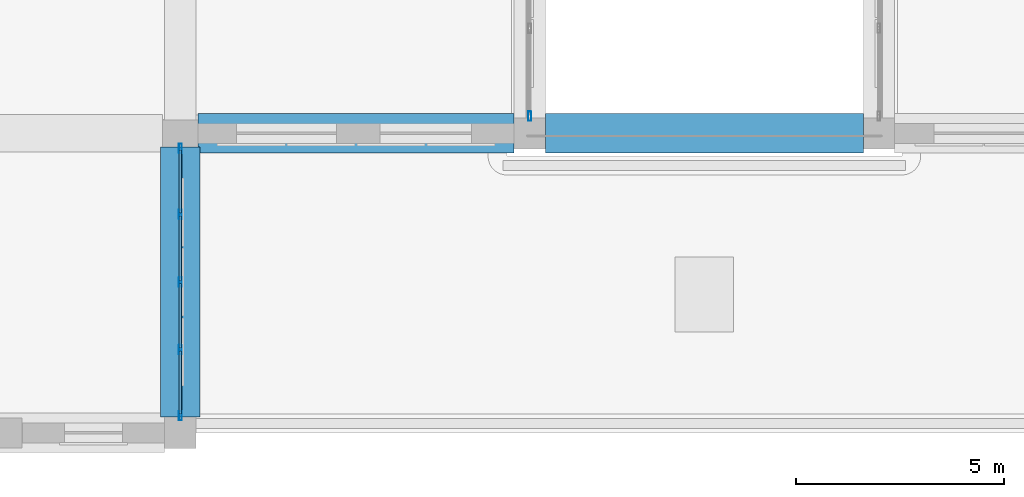
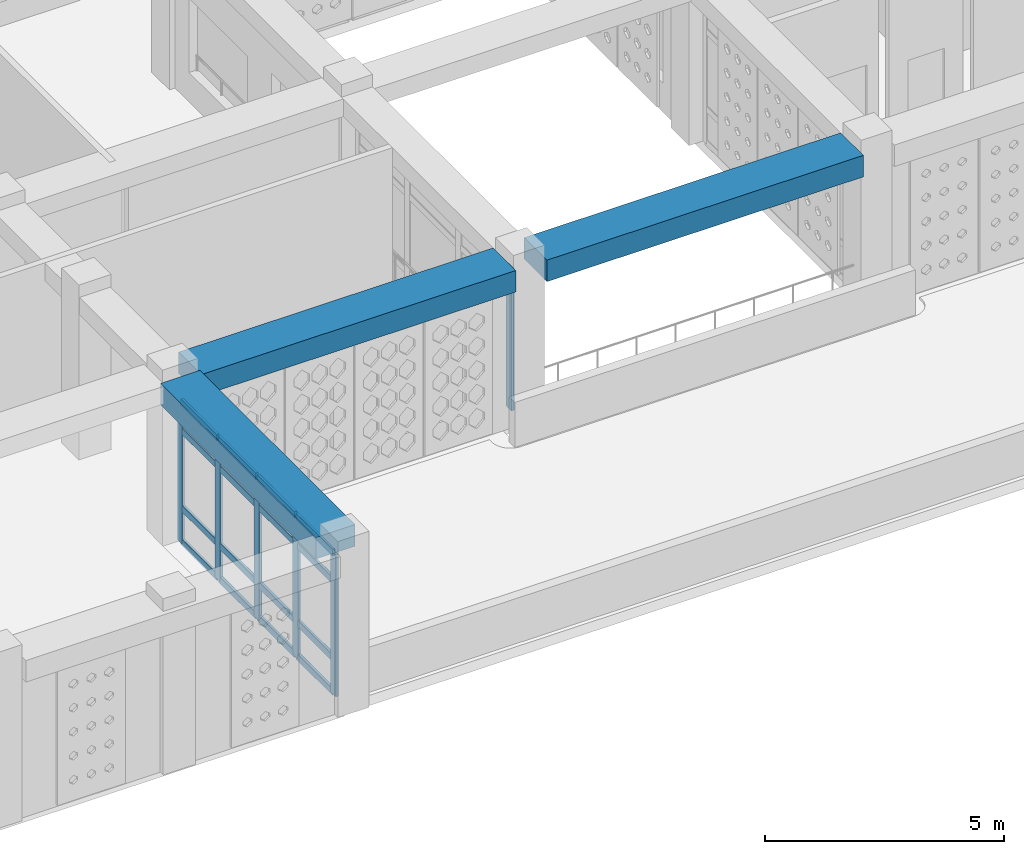
# One storey, part 9 of 111: 22 members, 3 beams, 2 elements without a shape of their own.
"""IFC4 building model written with IfcOpenShell, lengths in metres."""

from ifc_helpers import new_model, si_unit, derived_unit, direction, frame, origin, origin_2d, place, context, subcontext, project, spatial, rectangle, hollow_rectangle, extrude, material, material_profile, profile_set, type_object, element, aggregate, save


model = new_model("IFC4")

# Units and contexts
model_context = context("Model", 3, precision=1e-05, world=origin(), true_north=direction((0.0, 1.0)))
body_context = subcontext(model_context, "Body", "Model", "MODEL_VIEW")
ifc_project = project(units=[si_unit("LENGTHUNIT", "METRE"), si_unit("AREAUNIT", "SQUARE_METRE"), si_unit("VOLUMEUNIT", "CUBIC_METRE"), si_unit("PLANEANGLEUNIT", "RADIAN"), si_unit("MASSUNIT", "GRAM", prefix="KILO"), derived_unit("THERMALTRANSMITTANCEUNIT", [(si_unit("POWERUNIT", "WATT"), 1), (si_unit("LENGTHUNIT", "METRE"), -2), (si_unit("THERMODYNAMICTEMPERATUREUNIT", "KELVIN"), -1)])], contexts=[model_context])

# Site, building, storey
site_placement = place(None, origin())
site = spatial("IfcSite", under=ifc_project, at=site_placement, CompositionType="ELEMENT")
building_placement = place(site_placement, origin())
building = spatial("IfcBuilding", under=site, at=building_placement, Name="Veybourne Emporium", CompositionType="ELEMENT")
storey_placement = place(building_placement, frame((0.0, 0.0, 9.89990234375)))
storey = spatial("IfcBuildingStorey", under=building, at=storey_placement, Name="L02", CompositionType="ELEMENT", Elevation=9.89990234375)

# Curtain wall, members
ifc_material_1 = material(Name="Patinated Architectural Bronze", Category="bronze")
curtain_wall_type_1 = type_object("IfcCurtainWallType", Name="CWSystem_CWS-13", PredefinedType="NOTDEFINED", material=ifc_material_1)
curtain_wall_1_placement = place(storey_placement, origin())
curtain_wall_1 = element("IfcCurtainWall", 1, at=curtain_wall_1_placement, inside=storey, type_object=curtain_wall_type_1, Name="L02 bronze glazed curtain wall CWS-13 (027)", PredefinedType="NOTDEFINED")
ifc_material_profile_1 = material_profile(ifc_material_1, hollow_rectangle(XDim=0.072021484375, YDim=0.22509765625, WallThickness=0.0048828125, InnerFilletRadius=0.007568359375, OuterFilletRadius=0.012451171875, at=origin_2d()), Name="CWM 72x225x5")
ifc_profile_set_1 = profile_set([ifc_material_profile_1], Name="Patinated Architectural Bronze")
member_type_1 = type_object("IfcMemberType", Name="CWMullion_CW-M1", PredefinedType="MULLION", material=ifc_profile_set_1)
member_1_placement = place(storey_placement, frame((50.39990234375, 6.839111328125, 0.0), z_axis=(0.0, 0.0, 1.0), x_axis=(1.0, 0.0, 0.0)))
member_1 = element("IfcMember", 2, at=member_1_placement, type_object=member_type_1, Name="CWS-13 mullion 1", PredefinedType="MULLION", context=body_context, shape_type="SweptSolid", body=[
    extrude(hollow_rectangle(XDim=0.072021484375, YDim=0.22509765625, WallThickness=0.0048828125, InnerFilletRadius=0.007568359375, OuterFilletRadius=0.012451171875, at=origin_2d()), origin(), (0.0, 0.0, 1.0), 3.630126953125),
])
member_2_placement = place(storey_placement, frame((50.39990234375, 5.25, 0.0), z_axis=(0.0, 0.0, 1.0), x_axis=(1.0, 0.0, 0.0)))
member_2 = element("IfcMember", 3, at=member_2_placement, type_object=member_type_1, Name="CWS-13 mullion 2", PredefinedType="MULLION", context=body_context, shape_type="SweptSolid", body=[
    extrude(hollow_rectangle(XDim=0.072021484375, YDim=0.22509765625, WallThickness=0.0048828125, InnerFilletRadius=0.007568359375, OuterFilletRadius=0.012451171875, at=origin_2d()), origin(), (0.0, 0.0, 1.0), 3.630126953125),
])
member_3_placement = place(storey_placement, frame((50.39990234375, 3.625, 0.0), z_axis=(0.0, 0.0, 1.0), x_axis=(1.0, 0.0, 0.0)))
member_3 = element("IfcMember", 4, at=member_3_placement, type_object=member_type_1, Name="CWS-13 mullion 3", PredefinedType="MULLION", context=body_context, shape_type="SweptSolid", body=[
    extrude(hollow_rectangle(XDim=0.072021484375, YDim=0.22509765625, WallThickness=0.0048828125, InnerFilletRadius=0.007568359375, OuterFilletRadius=0.012451171875, at=origin_2d()), origin(), (0.0, 0.0, 1.0), 3.630126953125),
])
member_4_placement = place(storey_placement, frame((50.39990234375, 2.0, 0.0), z_axis=(0.0, 0.0, 1.0), x_axis=(1.0, 0.0, 0.0)))
member_4 = element("IfcMember", 5, at=member_4_placement, type_object=member_type_1, Name="CWS-13 mullion 4", PredefinedType="MULLION", context=body_context, shape_type="SweptSolid", body=[
    extrude(hollow_rectangle(XDim=0.072021484375, YDim=0.22509765625, WallThickness=0.0048828125, InnerFilletRadius=0.007568359375, OuterFilletRadius=0.012451171875, at=origin_2d()), origin(), (0.0, 0.0, 1.0), 3.630126953125),
])
member_5_placement = place(storey_placement, frame((50.39990234375, 0.410888671875, 0.0), z_axis=(0.0, 0.0, 1.0), x_axis=(1.0, 0.0, 0.0)))
member_5 = element("IfcMember", 6, at=member_5_placement, type_object=member_type_1, Name="CWS-13 mullion 5", PredefinedType="MULLION", context=body_context, shape_type="SweptSolid", body=[
    extrude(hollow_rectangle(XDim=0.072021484375, YDim=0.22509765625, WallThickness=0.0048828125, InnerFilletRadius=0.007568359375, OuterFilletRadius=0.012451171875, at=origin_2d()), origin(), (0.0, 0.0, 1.0), 3.630126953125),
])

# Curtain wall, member
curtain_wall_type_2 = type_object("IfcCurtainWallType", Name="CWSystem_CWS-14", PredefinedType="NOTDEFINED", material=ifc_material_1)
curtain_wall_2_placement = place(storey_placement, origin())
curtain_wall_2 = element("IfcCurtainWall", 7, at=curtain_wall_2_placement, inside=storey, type_object=curtain_wall_type_2, Name="L02 bronze glazed curtain wall CWS-14 (030)", PredefinedType="NOTDEFINED")
ifc_material_profile_2 = material_profile(ifc_material_1, hollow_rectangle(XDim=0.074951171875, YDim=0.22998046875, WallThickness=0.0048828125, InnerFilletRadius=0.007568359375, OuterFilletRadius=0.012451171875, at=origin_2d()), Name="CWM 75x230x5")
ifc_profile_set_2 = profile_set([ifc_material_profile_2], Name="Patinated Architectural Bronze")
member_type_2 = type_object("IfcMemberType", Name="CWMullion_CW-M2", PredefinedType="MULLION", material=ifc_profile_set_2)
member_6_placement = place(storey_placement, frame((58.800048828125, 7.612548828125, 0.0), z_axis=(0.0, 0.0, 1.0), x_axis=(1.0, 0.0, 0.0)))
member_6 = element("IfcMember", 8, at=member_6_placement, type_object=member_type_2, Name="CWS-14 mullion 4", PredefinedType="MULLION", context=body_context, shape_type="SweptSolid", body=[
    extrude(hollow_rectangle(XDim=0.074951171875, YDim=0.22998046875, WallThickness=0.0048828125, InnerFilletRadius=0.007568359375, OuterFilletRadius=0.012451171875, at=origin_2d()), origin(), (0.0, 0.0, 1.0), 3.630126953125),
])
aggregate(curtain_wall_2, [member_6])

# Member
ifc_material_profile_3 = material_profile(ifc_material_1, hollow_rectangle(XDim=0.072021484375, YDim=0.175048828125, WallThickness=0.0048828125, InnerFilletRadius=0.007568359375, OuterFilletRadius=0.012451171875, at=origin_2d()), Name="CWT 72x175x5")
ifc_profile_set_3 = profile_set([ifc_material_profile_3], Name="Patinated Architectural Bronze")
member_type_3 = type_object("IfcMemberType", Name="CWTransom_CW-T1", PredefinedType="NOTDEFINED", material=ifc_profile_set_3)
member_7_placement = place(storey_placement, frame((50.39990234375, 6.802978515625, 0.0361328125), z_axis=(0.0, -1.0, 0.0), x_axis=(1.0, 0.0, 0.0)))
member_7 = element("IfcMember", 9, at=member_7_placement, type_object=member_type_3, Name="CWS-13 transom 1.1", ObjectType="TRANSOM", PredefinedType="USERDEFINED", context=body_context, shape_type="SweptSolid", body=[
    extrude(hollow_rectangle(XDim=0.072021484375, YDim=0.175048828125, WallThickness=0.0048828125, InnerFilletRadius=0.007568359375, OuterFilletRadius=0.012451171875, at=origin_2d()), origin(), (0.0, 0.0, 1.0), 1.51708984375),
])

member_8_placement = place(storey_placement, frame((50.39990234375, 6.802978515625, 0.900146484375), z_axis=(0.0, -1.0, 0.0), x_axis=(1.0, 0.0, 0.0)))
member_8 = element("IfcMember", 10, at=member_8_placement, type_object=member_type_3, Name="CWS-13 transom 1.2", ObjectType="TRANSOM", PredefinedType="USERDEFINED", context=body_context, shape_type="SweptSolid", body=[
    extrude(hollow_rectangle(XDim=0.072021484375, YDim=0.175048828125, WallThickness=0.0048828125, InnerFilletRadius=0.007568359375, OuterFilletRadius=0.012451171875, at=origin_2d()), origin(), (0.0, 0.0, 1.0), 1.51708984375),
])

member_9_placement = place(storey_placement, frame((50.39990234375, 6.802978515625, 2.880126953125), z_axis=(0.0, -1.0, 0.0), x_axis=(1.0, 0.0, 0.0)))
member_9 = element("IfcMember", 11, at=member_9_placement, type_object=member_type_3, Name="CWS-13 transom 1.3", ObjectType="TRANSOM", PredefinedType="USERDEFINED", context=body_context, shape_type="SweptSolid", body=[
    extrude(hollow_rectangle(XDim=0.072021484375, YDim=0.175048828125, WallThickness=0.0048828125, InnerFilletRadius=0.007568359375, OuterFilletRadius=0.012451171875, at=origin_2d()), origin(), (0.0, 0.0, 1.0), 1.51708984375),
])

member_10_placement = place(storey_placement, frame((50.39990234375, 6.802978515625, 3.593994140625), z_axis=(0.0, -1.0, 0.0), x_axis=(1.0, 0.0, 0.0)))
member_10 = element("IfcMember", 12, at=member_10_placement, type_object=member_type_3, Name="CWS-13 transom 1.4", ObjectType="TRANSOM", PredefinedType="USERDEFINED", context=body_context, shape_type="SweptSolid", body=[
    extrude(hollow_rectangle(XDim=0.072021484375, YDim=0.175048828125, WallThickness=0.0048828125, InnerFilletRadius=0.007568359375, OuterFilletRadius=0.012451171875, at=origin_2d()), origin(), (0.0, 0.0, 1.0), 1.51708984375),
])

member_11_placement = place(storey_placement, frame((50.39990234375, 5.214111328125, 0.0361328125), z_axis=(0.0, -1.0, 0.0), x_axis=(1.0, 0.0, 0.0)))
member_11 = element("IfcMember", 13, at=member_11_placement, type_object=member_type_3, Name="CWS-13 transom 2.1", ObjectType="TRANSOM", PredefinedType="USERDEFINED", context=body_context, shape_type="SweptSolid", body=[
    extrude(hollow_rectangle(XDim=0.072021484375, YDim=0.175048828125, WallThickness=0.0048828125, InnerFilletRadius=0.007568359375, OuterFilletRadius=0.012451171875, at=origin_2d()), origin(), (0.0, 0.0, 1.0), 1.55322265625),
])

member_12_placement = place(storey_placement, frame((50.39990234375, 5.214111328125, 0.900146484375), z_axis=(0.0, -1.0, 0.0), x_axis=(1.0, 0.0, 0.0)))
member_12 = element("IfcMember", 14, at=member_12_placement, type_object=member_type_3, Name="CWS-13 transom 2.2", ObjectType="TRANSOM", PredefinedType="USERDEFINED", context=body_context, shape_type="SweptSolid", body=[
    extrude(hollow_rectangle(XDim=0.072021484375, YDim=0.175048828125, WallThickness=0.0048828125, InnerFilletRadius=0.007568359375, OuterFilletRadius=0.012451171875, at=origin_2d()), origin(), (0.0, 0.0, 1.0), 1.55322265625),
])

member_13_placement = place(storey_placement, frame((50.39990234375, 5.214111328125, 2.880126953125), z_axis=(0.0, -1.0, 0.0), x_axis=(1.0, 0.0, 0.0)))
member_13 = element("IfcMember", 15, at=member_13_placement, type_object=member_type_3, Name="CWS-13 transom 2.3", ObjectType="TRANSOM", PredefinedType="USERDEFINED", context=body_context, shape_type="SweptSolid", body=[
    extrude(hollow_rectangle(XDim=0.072021484375, YDim=0.175048828125, WallThickness=0.0048828125, InnerFilletRadius=0.007568359375, OuterFilletRadius=0.012451171875, at=origin_2d()), origin(), (0.0, 0.0, 1.0), 1.55322265625),
])

member_14_placement = place(storey_placement, frame((50.39990234375, 5.214111328125, 3.593994140625), z_axis=(0.0, -1.0, 0.0), x_axis=(1.0, 0.0, 0.0)))
member_14 = element("IfcMember", 16, at=member_14_placement, type_object=member_type_3, Name="CWS-13 transom 2.4", ObjectType="TRANSOM", PredefinedType="USERDEFINED", context=body_context, shape_type="SweptSolid", body=[
    extrude(hollow_rectangle(XDim=0.072021484375, YDim=0.175048828125, WallThickness=0.0048828125, InnerFilletRadius=0.007568359375, OuterFilletRadius=0.012451171875, at=origin_2d()), origin(), (0.0, 0.0, 1.0), 1.55322265625),
])

member_15_placement = place(storey_placement, frame((50.39990234375, 3.589111328125, 0.0361328125), z_axis=(0.0, -1.0, 0.0), x_axis=(1.0, 0.0, 0.0)))
member_15 = element("IfcMember", 17, at=member_15_placement, type_object=member_type_3, Name="CWS-13 transom 3.1", ObjectType="TRANSOM", PredefinedType="USERDEFINED", context=body_context, shape_type="SweptSolid", body=[
    extrude(hollow_rectangle(XDim=0.072021484375, YDim=0.175048828125, WallThickness=0.0048828125, InnerFilletRadius=0.007568359375, OuterFilletRadius=0.012451171875, at=origin_2d()), origin(), (0.0, 0.0, 1.0), 1.55322265625),
])

member_16_placement = place(storey_placement, frame((50.39990234375, 3.589111328125, 0.900146484375), z_axis=(0.0, -1.0, 0.0), x_axis=(1.0, 0.0, 0.0)))
member_16 = element("IfcMember", 18, at=member_16_placement, type_object=member_type_3, Name="CWS-13 transom 3.2", ObjectType="TRANSOM", PredefinedType="USERDEFINED", context=body_context, shape_type="SweptSolid", body=[
    extrude(hollow_rectangle(XDim=0.072021484375, YDim=0.175048828125, WallThickness=0.0048828125, InnerFilletRadius=0.007568359375, OuterFilletRadius=0.012451171875, at=origin_2d()), origin(), (0.0, 0.0, 1.0), 1.55322265625),
])

member_17_placement = place(storey_placement, frame((50.39990234375, 3.589111328125, 2.880126953125), z_axis=(0.0, -1.0, 0.0), x_axis=(1.0, 0.0, 0.0)))
member_17 = element("IfcMember", 19, at=member_17_placement, type_object=member_type_3, Name="CWS-13 transom 3.3", ObjectType="TRANSOM", PredefinedType="USERDEFINED", context=body_context, shape_type="SweptSolid", body=[
    extrude(hollow_rectangle(XDim=0.072021484375, YDim=0.175048828125, WallThickness=0.0048828125, InnerFilletRadius=0.007568359375, OuterFilletRadius=0.012451171875, at=origin_2d()), origin(), (0.0, 0.0, 1.0), 1.55322265625),
])

member_18_placement = place(storey_placement, frame((50.39990234375, 3.589111328125, 3.593994140625), z_axis=(0.0, -1.0, 0.0), x_axis=(1.0, 0.0, 0.0)))
member_18 = element("IfcMember", 20, at=member_18_placement, type_object=member_type_3, Name="CWS-13 transom 3.4", ObjectType="TRANSOM", PredefinedType="USERDEFINED", context=body_context, shape_type="SweptSolid", body=[
    extrude(hollow_rectangle(XDim=0.072021484375, YDim=0.175048828125, WallThickness=0.0048828125, InnerFilletRadius=0.007568359375, OuterFilletRadius=0.012451171875, at=origin_2d()), origin(), (0.0, 0.0, 1.0), 1.55322265625),
])

member_19_placement = place(storey_placement, frame((50.39990234375, 1.964111328125, 0.0361328125), z_axis=(0.0, -1.0, 0.0), x_axis=(1.0, 0.0, 0.0)))
member_19 = element("IfcMember", 21, at=member_19_placement, type_object=member_type_3, Name="CWS-13 transom 4.1", ObjectType="TRANSOM", PredefinedType="USERDEFINED", context=body_context, shape_type="SweptSolid", body=[
    extrude(hollow_rectangle(XDim=0.072021484375, YDim=0.175048828125, WallThickness=0.0048828125, InnerFilletRadius=0.007568359375, OuterFilletRadius=0.012451171875, at=origin_2d()), origin(), (0.0, 0.0, 1.0), 1.51708984375),
])

member_20_placement = place(storey_placement, frame((50.39990234375, 1.964111328125, 0.900146484375), z_axis=(0.0, -1.0, 0.0), x_axis=(1.0, 0.0, 0.0)))
member_20 = element("IfcMember", 22, at=member_20_placement, type_object=member_type_3, Name="CWS-13 transom 4.2", ObjectType="TRANSOM", PredefinedType="USERDEFINED", context=body_context, shape_type="SweptSolid", body=[
    extrude(hollow_rectangle(XDim=0.072021484375, YDim=0.175048828125, WallThickness=0.0048828125, InnerFilletRadius=0.007568359375, OuterFilletRadius=0.012451171875, at=origin_2d()), origin(), (0.0, 0.0, 1.0), 1.51708984375),
])

member_21_placement = place(storey_placement, frame((50.39990234375, 1.964111328125, 2.880126953125), z_axis=(0.0, -1.0, 0.0), x_axis=(1.0, 0.0, 0.0)))
member_21 = element("IfcMember", 23, at=member_21_placement, type_object=member_type_3, Name="CWS-13 transom 4.3", ObjectType="TRANSOM", PredefinedType="USERDEFINED", context=body_context, shape_type="SweptSolid", body=[
    extrude(hollow_rectangle(XDim=0.072021484375, YDim=0.175048828125, WallThickness=0.0048828125, InnerFilletRadius=0.007568359375, OuterFilletRadius=0.012451171875, at=origin_2d()), origin(), (0.0, 0.0, 1.0), 1.51708984375),
])

member_22_placement = place(storey_placement, frame((50.39990234375, 1.964111328125, 3.593994140625), z_axis=(0.0, -1.0, 0.0), x_axis=(1.0, 0.0, 0.0)))
member_22 = element("IfcMember", 24, at=member_22_placement, type_object=member_type_3, Name="CWS-13 transom 4.4", ObjectType="TRANSOM", PredefinedType="USERDEFINED", context=body_context, shape_type="SweptSolid", body=[
    extrude(hollow_rectangle(XDim=0.072021484375, YDim=0.175048828125, WallThickness=0.0048828125, InnerFilletRadius=0.007568359375, OuterFilletRadius=0.012451171875, at=origin_2d()), origin(), (0.0, 0.0, 1.0), 1.51708984375),
])

aggregate(curtain_wall_1, [member_1, member_2, member_3, member_4, member_5, member_7, member_8, member_9, member_10, member_11, member_12, member_13, member_14, member_15, member_16, member_17, member_18, member_19, member_20, member_21, member_22])

# Beams
ifc_material_2 = material(Name="Concrete C32/40", Category="concrete")
ifc_material_profile_4 = material_profile(ifc_material_2, rectangle(XDim=0.949951171875, YDim=0.550048828125, at=origin_2d()), Name="RC 950x550")
ifc_profile_set_4 = profile_set([ifc_material_profile_4], Name="Concrete C32/40")
beam_type = type_object("IfcBeamType", Name="RCBeam_EB-01", PredefinedType="SPANDREL", material=ifc_profile_set_4)
beam_1_placement = place(storey_placement, frame((50.824951171875, 7.199951171875, 3.905029296875), z_axis=(1.0, 0.0, 0.0), x_axis=(0.0, 1.0, 0.0)))
element("IfcBeam", 25, at=beam_1_placement, inside=storey, type_object=beam_type, Name="L02 X-grid beam EB-01 (6,1)", PredefinedType="SPANDREL", context=body_context, shape_type="SweptSolid", body=[
    extrude(rectangle(XDim=0.949951171875, YDim=0.550048828125, at=origin_2d()), origin(), (0.0, 0.0, 1.0), 7.60009765625),
])
beam_2_placement = place(storey_placement, frame((59.175048828125, 7.199951171875, 3.905029296875), z_axis=(1.0, 0.0, 0.0), x_axis=(0.0, 1.0, 0.0)))
element("IfcBeam", 26, at=beam_2_placement, inside=storey, type_object=beam_type, Name="L02 X-grid beam EB-01 (7,1)", PredefinedType="SPANDREL", context=body_context, shape_type="SweptSolid", body=[
    extrude(rectangle(XDim=0.949951171875, YDim=0.550048828125, at=origin_2d()), origin(), (0.0, 0.0, 1.0), 7.64990234375),
])
beam_3_placement = place(storey_placement, frame((50.39990234375, 0.375, 3.905029296875), z_axis=(0.0, 1.0, 0.0), x_axis=(-1.0, 0.0, 0.0)))
element("IfcBeam", 27, at=beam_3_placement, inside=storey, type_object=beam_type, Name="L02 Y-grid beam EB-01 (6,0)", PredefinedType="SPANDREL", context=body_context, shape_type="SweptSolid", body=[
    extrude(rectangle(XDim=0.949951171875, YDim=0.550048828125, at=origin_2d()), origin(), (0.0, 0.0, 1.0), 6.5),
])

save(model, "model.ifc")
